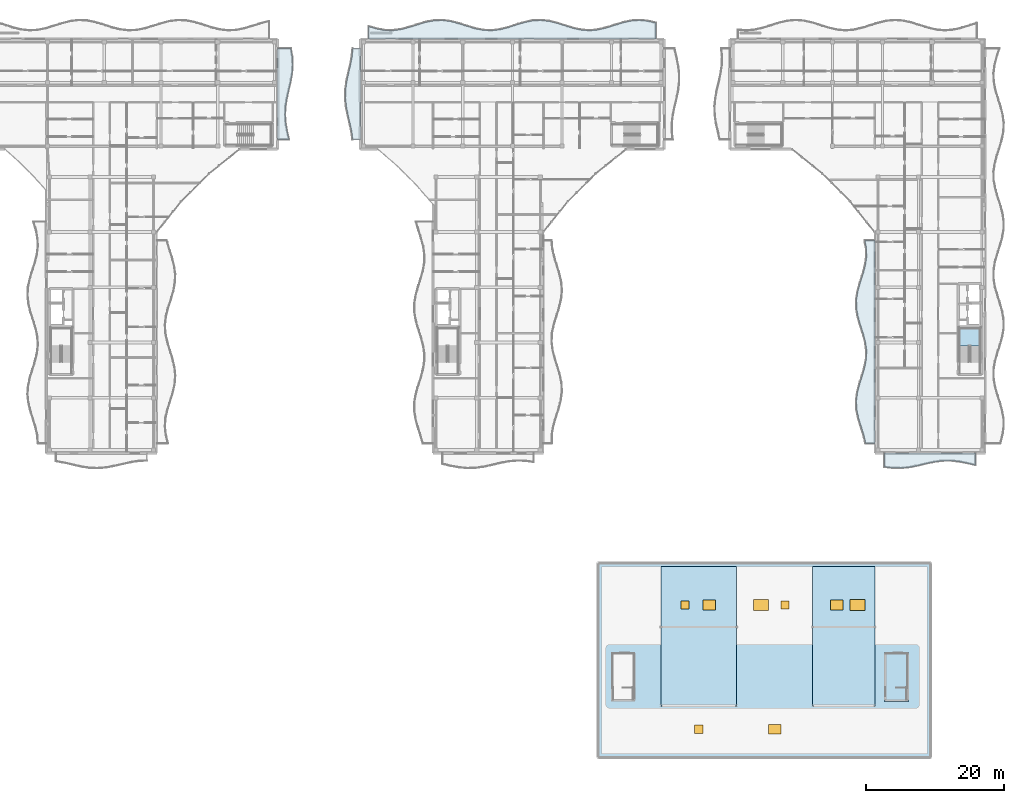
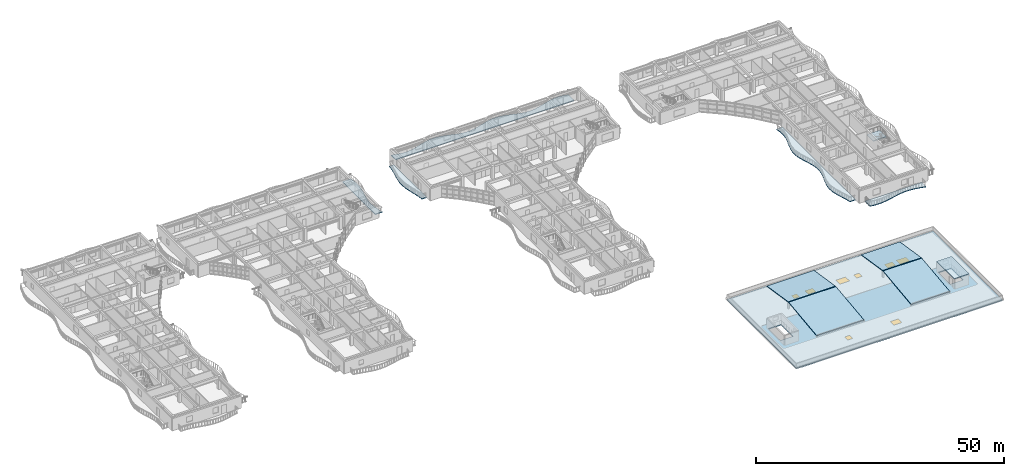
# One storey, part 34 of 79: 12 slabs, 8 windows, 8 openings, 1 element without a shape of its own.
"""IFC4 building model written with IfcOpenShell, lengths in metres."""

import ifcopenshell
import ifcopenshell.guid

model = None  # the IFC model being written
_history = None  # IfcOwnerHistory: only IFC2X3 demands one
_inside = {}  # id of a spatial element -> (the spatial element, [elements in it])
_under = {}  # id of a project, library or spatial element -> (it, [spatial elements below it])
_declared = {}  # id of a project -> (the project, [libraries it declares])
_typed = {}  # id of a type object -> (the type object, [elements of that type])
_made_of = {}  # id of a material, layer set ... -> (it, [elements and type objects made of it])


def new_model(schema):
    """Start an empty IFC model of exactly this schema.

    Asked for "IFC4X3", IfcOpenShell would pick the latest addendum, in which some entities
    have other attributes; the version numbers below select the first issue.
    IFC2X3 requires an IfcOwnerHistory on every rooted entity: one is made here for all.
    """
    global model, _history
    if schema == "IFC4X3":
        model = ifcopenshell.file(schema_version=(4, 3, 0, 0))
    else:
        model = ifcopenshell.file(schema=schema)
    _inside.clear()
    _under.clear()
    _declared.clear()
    _typed.clear()
    _made_of.clear()
    _history = None
    if model.schema == "IFC2X3":
        org = make("IfcOrganization", Name="unknown")
        user = make(
            "IfcPersonAndOrganization",
            ThePerson=make("IfcPerson", FamilyName="unknown"),
            TheOrganization=org,
        )
        app = make(
            "IfcApplication",
            ApplicationDeveloper=org,
            Version="unknown",
            ApplicationFullName="unknown",
            ApplicationIdentifier="unknown",
        )
        _history = make(
            "IfcOwnerHistory",
            OwningUser=user,
            OwningApplication=app,
            ChangeAction="ADDED",
            CreationDate=0,
        )
    return model


def make(cls, **values):
    """One entity of the class cls with the attributes given. An attribute that is None is left unset."""
    return model.create_entity(
        cls, **{name: value for name, value in values.items() if value is not None}
    )


def rooted(cls, **values):
    """An entity with a GlobalId (a new one), such as an element, a storey or a relation."""
    return make(cls, GlobalId=ifcopenshell.guid.new(), OwnerHistory=_history, **values)


def si_unit(unit_type, name, prefix=None):
    """IfcSIUnit, for example si_unit("LENGTHUNIT", "METRE", prefix="MILLI")."""
    return make("IfcSIUnit", UnitType=unit_type, Prefix=prefix, Name=name)


def assignment(units):
    """IfcUnitAssignment: the units of a project."""
    return None if units is None else make("IfcUnitAssignment", Units=units)


def point(xyz):
    """IfcCartesianPoint."""
    return None if xyz is None else make("IfcCartesianPoint", Coordinates=xyz)


def direction(xyz):
    """IfcDirection."""
    return None if xyz is None else make("IfcDirection", DirectionRatios=xyz)


def frame(location, z_axis=None, x_axis=None):
    """IfcAxis2Placement3D, a coordinate frame: its origin and axes. An axis left out is left unset."""
    return make(
        "IfcAxis2Placement3D",
        Location=point(location),
        Axis=direction(z_axis),
        RefDirection=direction(x_axis),
    )


def frame_2d(location, x_axis=None):
    """IfcAxis2Placement2D, a coordinate frame in the plane: its origin and x axis."""
    return make(
        "IfcAxis2Placement2D", Location=point(location), RefDirection=direction(x_axis)
    )


def origin():
    """The frame at (0, 0, 0) with its axes left unset."""
    return frame((0.0, 0.0, 0.0))


def origin_2d():
    """The frame at (0, 0) in the plane with its x axis left unset."""
    return frame_2d((0.0, 0.0))


def place(relative_to, where):
    """IfcLocalPlacement: puts the frame where relative to a parent placement (None: the world)."""
    return make(
        "IfcLocalPlacement", PlacementRelTo=relative_to, RelativePlacement=where
    )


def context(
    kind, dimensions, precision=None, world=None, true_north=None, identifier=None
):
    """IfcGeometricRepresentationContext, for example the 3D "Model" context."""
    return make(
        "IfcGeometricRepresentationContext",
        ContextIdentifier=identifier,
        ContextType=kind,
        CoordinateSpaceDimension=dimensions,
        Precision=precision,
        WorldCoordinateSystem=world,
        TrueNorth=true_north,
    )


def subcontext(parent, identifier, kind, view, scale=None):
    """IfcGeometricRepresentationSubContext, for example "Body" below "Model"."""
    return make(
        "IfcGeometricRepresentationSubContext",
        ContextIdentifier=identifier,
        ContextType=kind,
        ParentContext=parent,
        TargetScale=scale,
        TargetView=view,
    )


def project(units=None, contexts=None):
    """IfcProject with its units and contexts."""
    return rooted(
        "IfcProject",
        Name="project",
        RepresentationContexts=contexts,
        UnitsInContext=assignment(units),
    )


def spatial(cls, under=None, at=None, **own):
    """A site, building, storey or space (cls), placed at a placement, below another one or the project."""
    s = rooted(cls, ObjectPlacement=at, **own)
    if under is not None:
        _under.setdefault(under.id(), (under, []))[1].append(s)
    return s


def polyline(points):
    """IfcPolyline through the points."""
    return make("IfcPolyline", Points=[point(p) for p in points])


def profile(cls, at=None, kind="AREA", **sizes):
    """A parametric profile (cls). Its sizes go by their IFC names, for example OverallWidth=200.0."""
    return make(cls, ProfileType=kind, Position=at, **sizes)


def rectangle(**sizes):
    """IfcRectangleProfileDef."""
    return profile("IfcRectangleProfileDef", **sizes)


def outline(outer, holes=None, kind="AREA"):
    """IfcArbitraryClosedProfileDef: a profile drawn as a closed curve; with holes, ...WithVoids."""
    if holes is None:
        return make("IfcArbitraryClosedProfileDef", ProfileType=kind, OuterCurve=outer)
    return make(
        "IfcArbitraryProfileDefWithVoids",
        ProfileType=kind,
        OuterCurve=outer,
        InnerCurves=holes,
    )


def extrude(swept, where, along, depth):
    """IfcExtrudedAreaSolid: the profile swept, set in the frame where, extruded along a direction by depth."""
    return make(
        "IfcExtrudedAreaSolid",
        SweptArea=swept,
        Position=where,
        ExtrudedDirection=direction(along),
        Depth=depth,
    )


def shape(context_of_items, identifier, shape_type, items):
    """IfcShapeRepresentation: the items that make up one representation, for example the "Body"."""
    return make(
        "IfcShapeRepresentation",
        ContextOfItems=context_of_items,
        RepresentationIdentifier=identifier,
        RepresentationType=shape_type,
        Items=items,
    )


def material(Name=None, Category=None):
    """IfcMaterial."""
    return make("IfcMaterial", Name=Name, Category=Category)


def layer(
    of_material, thickness, ventilated=None, Name=None, Category=None, Priority=None
):
    """IfcMaterialLayer: one layer of a wall or slab, of a material (None: an air gap)."""
    return make(
        "IfcMaterialLayer",
        Material=of_material,
        LayerThickness=thickness,
        IsVentilated=ventilated,
        Name=Name,
        Category=Category,
        Priority=Priority,
    )


def layer_set(layers, Name=None):
    """IfcMaterialLayerSet."""
    return make("IfcMaterialLayerSet", MaterialLayers=layers, LayerSetName=Name)


def made_of(thing, what):
    """Note that an element or type object is made of a material, layer set ...; save() writes the relation."""
    if what is not None:
        _made_of.setdefault(what.id(), (what, []))[1].append(thing)
    return thing


def type_object(cls, material=None, **own):
    """A type object (cls), such as IfcWallType, which elements share."""
    return made_of(rooted(cls, **own), material)


def element(
    cls,
    number,
    at=None,
    inside=None,
    cuts=None,
    type_object=None,
    material=None,
    context=None,
    identifier="Body",
    shape_type=None,
    held_by="IfcProductDefinitionShape",
    body=None,
    shapes=None,
    **own,
):
    """One element of the class cls, such as IfcWall. Its Tag is "e" and its number.

    at: its placement. inside: the storey or other place that contains it. cuts: it is an
    opening in that element (IfcRelVoidsElement). A single representation is given by context,
    identifier, shape_type and body (its items); several are given by shapes. held_by: the class
    of the entity that holds the representations. save() writes the other relations.
    """
    e = rooted(cls, Tag="e%d" % number, ObjectPlacement=at, **own)
    if body is not None:
        shapes = [shape(context, identifier, shape_type, body)]
    if shapes is not None:
        e.Representation = make(held_by, Representations=shapes)
    if inside is not None:
        _inside.setdefault(inside.id(), (inside, []))[1].append(e)
    if cuts is not None:
        rooted(
            "IfcRelVoidsElement", RelatingBuildingElement=cuts, RelatedOpeningElement=e
        )
    if type_object is not None:
        _typed.setdefault(type_object.id(), (type_object, []))[1].append(e)
    return made_of(e, material)


def fill(opening, filler):
    """IfcRelFillsElement: the door or window that sits in an opening."""
    return rooted(
        "IfcRelFillsElement",
        RelatingOpeningElement=opening,
        RelatedBuildingElement=filler,
    )


def aggregate(whole, parts):
    """IfcRelAggregates: a whole, such as a stair, and the parts it consists of."""
    return rooted("IfcRelAggregates", RelatingObject=whole, RelatedObjects=parts)


def save(model, path):
    """Write the relations noted so far, then the file.

    IfcRelAggregates (storeys below a building ...), IfcRelContainedInSpatialStructure (elements
    in a storey), IfcRelDefinesByType, IfcRelAssociatesMaterial and IfcRelDeclares: one each for
    every whole, place, type object, material and project.
    """
    for whole, parts in _under.values():
        aggregate(whole, parts)
    for where, things in _inside.values():
        rooted(
            "IfcRelContainedInSpatialStructure",
            RelatedElements=things,
            RelatingStructure=where,
        )
    for kind, things in _typed.values():
        rooted("IfcRelDefinesByType", RelatedObjects=things, RelatingType=kind)
    for what, things in _made_of.values():
        rooted("IfcRelAssociatesMaterial", RelatedObjects=things, RelatingMaterial=what)
    for by, libraries in _declared.values():
        rooted("IfcRelDeclares", RelatingContext=by, RelatedDefinitions=libraries)
    model.write(path)


model = new_model("IFC4")

# Units and contexts
model_context = context("Model", 3, precision=1e-05, world=origin(), true_north=direction((0.0, 1.0)))
body_context = subcontext(model_context, "Body", "Model", "MODEL_VIEW")
ifc_project = project(units=[si_unit("LENGTHUNIT", "METRE"), si_unit("AREAUNIT", "SQUARE_METRE"), si_unit("VOLUMEUNIT", "CUBIC_METRE"), si_unit("PLANEANGLEUNIT", "RADIAN"), si_unit("MASSUNIT", "GRAM", prefix="KILO")], contexts=[model_context])

# Site, building, storey
site_placement = place(None, origin())
site = spatial("IfcSite", under=ifc_project, at=site_placement, CompositionType="ELEMENT")
building_placement = place(site_placement, origin())
building = spatial("IfcBuilding", under=site, at=building_placement, Name="Keldmere Railside Commons", CompositionType="ELEMENT")
storey_placement = place(building_placement, frame((0.0, 0.0, 10.56005859375)))
storey = spatial("IfcBuildingStorey", under=building, at=storey_placement, Name="L03", CompositionType="ELEMENT", Elevation=10.56005859375)

# Slab
ifc_material_1 = material(Name="Concrete H-35 (C35/45)", Category="concrete")
ifc_layer_1 = layer(ifc_material_1, 0.14990234375, Name="Canopy & Headhouse Roof Slab 150")
ifc_layer_set_1 = layer_set([ifc_layer_1], Name="Concrete H-35 (C35/45)")
slab_type_1 = type_object("IfcSlabType", Name="Canopy & Headhouse Roof Slab 150", PredefinedType="ROOF", material=ifc_layer_set_1)
slab_1_placement = place(storey_placement, frame((0.0, 0.0, 2.5)))
element("IfcSlab", 1, at=slab_1_placement, inside=storey, type_object=slab_type_1, Name="RT-3 Arcade Headhouse Roof 2", PredefinedType="ROOF", context=body_context, shape_type="SweptSolid", body=[
    extrude(outline(polyline([(169.409912109375, 20.050048828125), (172.89990234375, 20.050048828125), (172.89990234375, 27.14990234375), (169.409912109375, 27.14990234375), (169.409912109375, 20.050048828125)])), origin(), (0.0, 0.0, 1.0), 0.14990234375),
])

# Stair, slab
ifc_material_2 = material(Name="Concrete H-30 (C30/37)", Category="concrete")
stair_type = type_object("IfcStairType", Name="Residential Core Dogleg Stair 1450", PredefinedType="HALF_TURN_STAIR", material=ifc_material_2)
stair_placement = place(storey_placement, origin())
stair = element("IfcStair", 2, at=stair_placement, inside=storey, type_object=stair_type, Name="L03 Block A Primary Escape Stair 1", PredefinedType="HALF_TURN_STAIR")
ifc_layer_2 = layer(ifc_material_2, 0.199951171875, Name="Enclosed Stair Landing Slab 200")
ifc_layer_set_2 = layer_set([ifc_layer_2], Name="Concrete H-30 (C30/37)")
slab_type_2 = type_object("IfcSlabType", Name="Enclosed Stair Landing Slab 200", PredefinedType="LANDING", material=ifc_layer_set_2)
slab_2_placement = place(storey_placement, frame((0.0, 0.0, 1.39990234375)))
slab_2 = element("IfcSlab", 3, at=slab_2_placement, type_object=slab_type_2, Name="ST-A1 landing 1", PredefinedType="LANDING", context=body_context, shape_type="SweptSolid", body=[
    extrude(outline(polyline([(183.300048828125, 71.52001953125), (183.300048828125, 74.10009765625), (180.25, 74.10009765625), (180.25, 71.52001953125), (183.300048828125, 71.52001953125)])), origin(), (0.0, 0.0, 1.0), 0.199951171875),
])
aggregate(stair, [slab_2])

# Slabs
ifc_layer_3 = layer(ifc_material_1, 0.139892578125, Name="Nursery Pitched Roof Slab 140")
ifc_layer_set_3 = layer_set([ifc_layer_3], Name="Concrete H-35 (C35/45)")
slab_type_3 = type_object("IfcSlabType", Name="Nursery Pitched Roof Slab 140", PredefinedType="ROOF", material=ifc_layer_set_3)
slab_3_placement = place(storey_placement, frame((137.0, 19.39990234375, 0.389892578125), z_axis=(0.0, -0.11842656114, 0.992962813814), x_axis=(1.0, 0.0, 0.0)))
element("IfcSlab", 4, at=slab_3_placement, inside=storey, type_object=slab_type_3, Name="Roof Arcade Clerestory Monitor 1S", PredefinedType="ROOF", context=body_context, shape_type="SweptSolid", body=[
    extrude(outline(polyline([(0.0, 0.0), (11.0, 0.0), (11.0, 11.400294353319776), (0.0, 11.400294353319776), (0.0, 0.0)])), origin(), (0.0, 0.0, -1.0), 0.139892578125),
])
slab_4_placement = place(storey_placement, frame((148.0, 39.550048828125, 0.389892578125), z_axis=(0.0, 0.153863360017, 0.988092134593), x_axis=(-1.0, 0.0, 0.0)))
element("IfcSlab", 5, at=slab_4_placement, inside=storey, type_object=slab_type_3, Name="Roof Arcade Clerestory Monitor 1N", PredefinedType="ROOF", context=body_context, shape_type="SweptSolid", body=[
    extrude(outline(polyline([(0.0, 0.0), (11.0, 0.0), (11.0, 8.7746534073951), (0.0, 8.7746534073951), (0.0, 0.0)])), origin(), (0.0, 0.0, -1.0), 0.139892578125),
])
slab_5_placement = place(storey_placement, frame((159.0, 19.39990234375, 0.389892578125), z_axis=(0.0, -0.11842656114, 0.992962813814), x_axis=(1.0, 0.0, 0.0)))
element("IfcSlab", 6, at=slab_5_placement, inside=storey, type_object=slab_type_3, Name="Roof Arcade Clerestory Monitor 2S", PredefinedType="ROOF", context=body_context, shape_type="SweptSolid", body=[
    extrude(outline(polyline([(0.0, 0.0), (9.0, 0.0), (9.0, 11.400294353319776), (0.0, 11.400294353319776), (0.0, 0.0)])), origin(), (0.0, 0.0, -1.0), 0.139892578125),
])
slab_6_placement = place(storey_placement, frame((168.0, 39.550048828125, 0.389892578125), z_axis=(0.0, 0.153863360017, 0.988092134593), x_axis=(-1.0, 0.0, 0.0)))
element("IfcSlab", 7, at=slab_6_placement, inside=storey, type_object=slab_type_3, Name="Roof Arcade Clerestory Monitor 2N", PredefinedType="ROOF", context=body_context, shape_type="SweptSolid", body=[
    extrude(outline(polyline([(0.0, 0.0), (9.0, 0.0), (9.0, 8.7746534073951), (0.0, 8.7746534073951), (0.0, 0.0)])), origin(), (0.0, 0.0, -1.0), 0.139892578125),
])

# Slab, openings, windows
ifc_layer_4 = layer(ifc_material_1, 0.25, Name="Planted Terrace Roof Slab 250")
ifc_layer_set_4 = layer_set([ifc_layer_4], Name="Concrete H-35 (C35/45)")
slab_type_4 = type_object("IfcSlabType", Name="Planted Terrace Roof Slab 250", PredefinedType="ROOF", material=ifc_layer_set_4)
slab_7_placement = place(storey_placement, frame((0.0, 0.0, -0.25)))
slab_7 = element("IfcSlab", 8, at=slab_7_placement, inside=storey, type_object=slab_type_4, Name="RT-1 ARCROOF-L03-080", PredefinedType="ROOF", context=body_context, shape_type="SweptSolid", body=[
    extrude(outline(polyline([(176.0, 12.0), (176.0, 40.0), (128.0, 40.0), (128.0, 12.0), (176.0, 12.0)]), holes=[polyline([(133.02490234375, 22.074951171875), (130.0849609375, 22.074951171875), (130.0849609375, 26.875), (133.02490234375, 26.875), (133.02490234375, 22.074951171875)]), polyline([(172.625, 22.074951171875), (169.68505859375, 22.074951171875), (169.68505859375, 26.875), (172.625, 26.875), (172.625, 22.074951171875)])]), origin(), (0.0, 0.0, 1.0), 0.25),
])
opening_1_placement = place(slab_7_placement, frame((140.5, 34.0, 0.0)))
opening_1 = element("IfcOpeningElement", 9, at=opening_1_placement, cuts=slab_7, Name="Opening SKY-01", PredefinedType="OPENING", context=body_context, shape_type="SweptSolid", body=[
    extrude(rectangle(XDim=1.199951171875, YDim=1.199951171875, at=origin_2d()), frame((0.0, 0.0, -0.010009765625)), (0.0, 0.0, 1.0), 0.27001953125),
])
opening_2_placement = place(slab_7_placement, frame((144.0, 34.0, 0.0)))
opening_2 = element("IfcOpeningElement", 10, at=opening_2_placement, cuts=slab_7, Name="Opening SKY-02", PredefinedType="OPENING", context=body_context, shape_type="SweptSolid", body=[
    extrude(rectangle(XDim=1.800048828125, YDim=1.39990234375, at=origin_2d()), frame((0.0, 0.0, -0.010009765625)), (0.0, 0.0, 1.0), 0.27001953125),
])
opening_3_placement = place(slab_7_placement, frame((151.5, 34.0, 0.0)))
opening_3 = element("IfcOpeningElement", 11, at=opening_3_placement, cuts=slab_7, Name="Opening SKY-03", PredefinedType="OPENING", context=body_context, shape_type="SweptSolid", body=[
    extrude(rectangle(XDim=2.199951171875, YDim=1.60009765625, at=origin_2d()), frame((0.0, 0.0, -0.010009765625)), (0.0, 0.0, 1.0), 0.27001953125),
])
opening_4_placement = place(slab_7_placement, frame((155.0, 34.0, 0.0)))
opening_4 = element("IfcOpeningElement", 12, at=opening_4_placement, cuts=slab_7, Name="Opening SKY-01", PredefinedType="OPENING", context=body_context, shape_type="SweptSolid", body=[
    extrude(rectangle(XDim=1.199951171875, YDim=1.199951171875, at=origin_2d()), frame((0.0, 0.0, -0.010009765625)), (0.0, 0.0, 1.0), 0.27001953125),
])
opening_5_placement = place(slab_7_placement, frame((162.5, 34.0, 0.0)))
opening_5 = element("IfcOpeningElement", 13, at=opening_5_placement, cuts=slab_7, Name="Opening SKY-02", PredefinedType="OPENING", context=body_context, shape_type="SweptSolid", body=[
    extrude(rectangle(XDim=1.800048828125, YDim=1.39990234375, at=origin_2d()), frame((0.0, 0.0, -0.010009765625)), (0.0, 0.0, 1.0), 0.27001953125),
])
opening_6_placement = place(slab_7_placement, frame((165.5, 34.0, 0.0)))
opening_6 = element("IfcOpeningElement", 14, at=opening_6_placement, cuts=slab_7, Name="Opening SKY-03", PredefinedType="OPENING", context=body_context, shape_type="SweptSolid", body=[
    extrude(rectangle(XDim=2.199951171875, YDim=1.60009765625, at=origin_2d()), frame((0.0, 0.0, -0.010009765625)), (0.0, 0.0, 1.0), 0.27001953125),
])
opening_7_placement = place(slab_7_placement, frame((142.5, 16.0, 0.0)))
opening_7 = element("IfcOpeningElement", 15, at=opening_7_placement, cuts=slab_7, Name="Opening SKY-01", PredefinedType="OPENING", context=body_context, shape_type="SweptSolid", body=[
    extrude(rectangle(XDim=1.199951171875, YDim=1.199951171875, at=origin_2d()), frame((0.0, 0.0, -0.010009765625)), (0.0, 0.0, 1.0), 0.27001953125),
])
opening_8_placement = place(slab_7_placement, frame((153.5, 16.0, 0.0)))
opening_8 = element("IfcOpeningElement", 16, at=opening_8_placement, cuts=slab_7, Name="Opening SKY-02", PredefinedType="OPENING", context=body_context, shape_type="SweptSolid", body=[
    extrude(rectangle(XDim=1.800048828125, YDim=1.39990234375, at=origin_2d()), frame((0.0, 0.0, -0.010009765625)), (0.0, 0.0, 1.0), 0.27001953125),
])
ifc_material_3 = material(Name="Low-E Insulated Double Glazing", Category="glass")
window_type_1 = type_object("IfcWindowType", Name="Market Arcade Gallery Roof Skylight 2200x1600", PartitioningType="SINGLE_PANEL", PredefinedType="SKYLIGHT", material=ifc_material_3)
window_1_placement = place(opening_3_placement, frame((0.0, 0.0, 0.199951171875)))
window_1 = element("IfcWindow", 17, at=window_1_placement, inside=storey, type_object=window_type_1, Name="SKY-03 SKY-ARC-03", OverallHeight=1.60009765625, OverallWidth=2.199951171875, PartitioningType="SINGLE_PANEL", PredefinedType="SKYLIGHT", context=body_context, shape_type="SweptSolid", body=[
    extrude(rectangle(XDim=2.199951171875, YDim=1.60009765625, at=origin_2d()), origin(), (0.0, 0.0, 1.0), 0.050048828125),
])
fill(opening_3, window_1)
window_2_placement = place(opening_6_placement, frame((0.0, 0.0, 0.199951171875)))
window_2 = element("IfcWindow", 18, at=window_2_placement, inside=storey, type_object=window_type_1, Name="SKY-03 SKY-ARC-06", OverallHeight=1.60009765625, OverallWidth=2.199951171875, PartitioningType="SINGLE_PANEL", PredefinedType="SKYLIGHT", context=body_context, shape_type="SweptSolid", body=[
    extrude(rectangle(XDim=2.199951171875, YDim=1.60009765625, at=origin_2d()), origin(), (0.0, 0.0, 1.0), 0.050048828125),
])
fill(opening_6, window_2)
window_type_2 = type_object("IfcWindowType", Name="Nursery Atrium Daylight Skylight 1800x1400", PartitioningType="SINGLE_PANEL", PredefinedType="SKYLIGHT", material=ifc_material_3)
window_3_placement = place(opening_2_placement, frame((0.0, 0.0, 0.199951171875)))
window_3 = element("IfcWindow", 19, at=window_3_placement, inside=storey, type_object=window_type_2, Name="SKY-02 SKY-ARC-02", OverallHeight=1.39990234375, OverallWidth=1.800048828125, PartitioningType="SINGLE_PANEL", PredefinedType="SKYLIGHT", context=body_context, shape_type="SweptSolid", body=[
    extrude(rectangle(XDim=1.800048828125, YDim=1.39990234375, at=origin_2d()), origin(), (0.0, 0.0, 1.0), 0.050048828125),
])
fill(opening_2, window_3)
window_4_placement = place(opening_5_placement, frame((0.0, 0.0, 0.199951171875)))
window_4 = element("IfcWindow", 20, at=window_4_placement, inside=storey, type_object=window_type_2, Name="SKY-02 SKY-ARC-05", OverallHeight=1.39990234375, OverallWidth=1.800048828125, PartitioningType="SINGLE_PANEL", PredefinedType="SKYLIGHT", context=body_context, shape_type="SweptSolid", body=[
    extrude(rectangle(XDim=1.800048828125, YDim=1.39990234375, at=origin_2d()), origin(), (0.0, 0.0, 1.0), 0.050048828125),
])
fill(opening_5, window_4)
window_5_placement = place(opening_8_placement, frame((0.0, 0.0, 0.199951171875)))
window_5 = element("IfcWindow", 21, at=window_5_placement, inside=storey, type_object=window_type_2, Name="SKY-02 SKY-ARC-08", OverallHeight=1.39990234375, OverallWidth=1.800048828125, PartitioningType="SINGLE_PANEL", PredefinedType="SKYLIGHT", context=body_context, shape_type="SweptSolid", body=[
    extrude(rectangle(XDim=1.800048828125, YDim=1.39990234375, at=origin_2d()), origin(), (0.0, 0.0, 1.0), 0.050048828125),
])
fill(opening_8, window_5)
window_type_3 = type_object("IfcWindowType", Name="Stair Smoke-Vent & Access Skylight Hatch 1200x1200", PartitioningType="SINGLE_PANEL", PredefinedType="SKYLIGHT", material=ifc_material_3)
window_6_placement = place(opening_1_placement, frame((0.0, 0.0, 0.199951171875)))
window_6 = element("IfcWindow", 22, at=window_6_placement, inside=storey, type_object=window_type_3, Name="SKY-01 SKY-ARC-01", OverallHeight=1.199951171875, OverallWidth=1.199951171875, PartitioningType="SINGLE_PANEL", PredefinedType="SKYLIGHT", context=body_context, shape_type="SweptSolid", body=[
    extrude(rectangle(XDim=1.199951171875, YDim=1.199951171875, at=origin_2d()), origin(), (0.0, 0.0, 1.0), 0.050048828125),
])
fill(opening_1, window_6)
window_7_placement = place(opening_4_placement, frame((0.0, 0.0, 0.199951171875)))
window_7 = element("IfcWindow", 23, at=window_7_placement, inside=storey, type_object=window_type_3, Name="SKY-01 SKY-ARC-04", OverallHeight=1.199951171875, OverallWidth=1.199951171875, PartitioningType="SINGLE_PANEL", PredefinedType="SKYLIGHT", context=body_context, shape_type="SweptSolid", body=[
    extrude(rectangle(XDim=1.199951171875, YDim=1.199951171875, at=origin_2d()), origin(), (0.0, 0.0, 1.0), 0.050048828125),
])
fill(opening_4, window_7)
window_8_placement = place(opening_7_placement, frame((0.0, 0.0, 0.199951171875)))
window_8 = element("IfcWindow", 24, at=window_8_placement, inside=storey, type_object=window_type_3, Name="SKY-01 SKY-ARC-07", OverallHeight=1.199951171875, OverallWidth=1.199951171875, PartitioningType="SINGLE_PANEL", PredefinedType="SKYLIGHT", context=body_context, shape_type="SweptSolid", body=[
    extrude(rectangle(XDim=1.199951171875, YDim=1.199951171875, at=origin_2d()), origin(), (0.0, 0.0, 1.0), 0.050048828125),
])
fill(opening_7, window_8)

# Slabs
ifc_material_4 = material(Name="White Precast Concrete H-35 (C35/45)", Category="concrete")
ifc_layer_5 = layer(ifc_material_4, 0.179931640625, Name="Sinusoidal Wave Balcony Slab 180")
ifc_layer_set_5 = layer_set([ifc_layer_5], Name="White Precast Concrete H-35 (C35/45)")
slab_type_5 = type_object("IfcSlabType", Name="Sinusoidal Wave Balcony Slab 180", PredefinedType="FLOOR", material=ifc_layer_set_5)
slab_8_placement = place(storey_placement, frame((0.0, 0.0, -0.18017578125)))
element("IfcSlab", 25, at=slab_8_placement, inside=storey, type_object=slab_type_5, Name="WB-1 C L03 WE Wave Balcony", PredefinedType="FLOOR", context=body_context, shape_type="SweptSolid", body=[
    extrude(outline(polyline([(83.1728515625, 101.39990234375), (82.89501953125, 102.60009765625), (82.685546875, 103.800048828125), (82.6005859375, 105.0), (82.66259765625, 106.199951171875), (82.85546875, 107.39990234375), (83.127197265625, 108.60009765625), (83.405029296875, 109.800048828125), (83.614501953125, 111.0), (83.699462890625, 112.199951171875), (83.63720703125, 113.39990234375), (83.444580078125, 114.60009765625), (81.5, 114.60009765625), (81.5, 113.39990234375), (81.5, 112.199951171875), (81.5, 111.0), (81.5, 109.800048828125), (81.5, 108.60009765625), (81.5, 107.39990234375), (81.5, 106.199951171875), (81.5, 105.0), (81.5, 103.800048828125), (81.5, 102.60009765625), (81.5, 101.39990234375), (83.1728515625, 101.39990234375)])), origin(), (0.0, 0.0, 1.0), 0.18017578125),
])
slab_9_placement = place(storey_placement, frame((0.0, 0.0, -0.18017578125)))
element("IfcSlab", 26, at=slab_9_placement, inside=storey, type_object=slab_type_5, Name="WB-1 B L03 N Wave Balcony", PredefinedType="FLOOR", context=body_context, shape_type="SweptSolid", body=[
    extrude(outline(polyline([(94.699951171875, 116.0), (95.888671875, 116.0), (97.0771484375, 116.0), (98.265625, 116.0), (99.454345703125, 116.0), (100.642822265625, 116.0), (101.831298828125, 116.0), (103.02001953125, 116.0), (104.20849609375, 116.0), (105.397216796875, 116.0), (106.585693359375, 116.0), (107.7744140625, 116.0), (108.962890625, 116.0), (110.1513671875, 116.0), (111.340087890625, 116.0), (112.528564453125, 116.0), (113.717041015625, 116.0), (114.90576171875, 116.0), (116.09423828125, 116.0), (117.282958984375, 116.0), (118.471435546875, 116.0), (119.659912109375, 116.0), (120.8486328125, 116.0), (122.037109375, 116.0), (123.2255859375, 116.0), (124.414306640625, 116.0), (125.602783203125, 116.0), (126.79150390625, 116.0), (127.97998046875, 116.0), (129.168701171875, 116.0), (130.357177734375, 116.0), (131.545654296875, 116.0), (132.734375, 116.0), (133.9228515625, 116.0), (135.111328125, 116.0), (136.300048828125, 116.0), (136.300048828125, 118.302734375), (135.111328125, 118.58447265625), (133.9228515625, 118.69921875), (132.734375, 118.6171875), (131.545654296875, 118.359375), (130.357177734375, 117.994140625), (129.168701171875, 117.6171875), (127.97998046875, 117.327880859375), (126.79150390625, 117.201904296875), (125.602783203125, 117.27294921875), (124.414306640625, 117.52197265625), (123.2255859375, 117.883544921875), (122.037109375, 118.2626953125), (120.8486328125, 118.559326171875), (119.659912109375, 118.696044921875), (118.471435546875, 118.636474609375), (117.282958984375, 118.396240234375), (116.09423828125, 118.038818359375), (114.90576171875, 117.657958984375), (113.717041015625, 117.35400390625), (112.528564453125, 117.206787109375), (111.340087890625, 117.2548828125), (110.1513671875, 117.48583984375), (108.962890625, 117.839111328125), (107.7744140625, 118.22119140625), (106.585693359375, 118.5322265625), (105.397216796875, 118.68994140625), (104.20849609375, 118.6533203125), (103.02001953125, 118.431396484375), (101.831298828125, 118.0830078125), (100.642822265625, 117.69970703125), (99.454345703125, 117.382080078125), (98.265625, 117.214111328125), (97.0771484375, 117.2392578125), (95.888671875, 117.451416015625), (94.699951171875, 117.794921875), (94.699951171875, 116.0)])), origin(), (0.0, 0.0, 1.0), 0.18017578125),
])
slab_10_placement = place(storey_placement, frame((0.0, 0.0, -0.18017578125)))
element("IfcSlab", 27, at=slab_10_placement, inside=storey, type_object=slab_type_5, Name="WB-1 B L03 WW Wave Balcony", PredefinedType="FLOOR", context=body_context, shape_type="SweptSolid", body=[
    extrude(outline(polyline([(93.5, 101.39990234375), (93.5, 102.60009765625), (93.5, 103.800048828125), (93.5, 105.0), (93.5, 106.199951171875), (93.5, 107.39990234375), (93.5, 108.60009765625), (93.5, 109.800048828125), (93.5, 111.0), (93.5, 112.199951171875), (93.5, 113.39990234375), (93.5, 114.60009765625), (92.390380859375, 114.60009765625), (92.26708984375, 113.39990234375), (92.0322265625, 112.199951171875), (91.748291015625, 111.0), (91.49169921875, 109.800048828125), (91.3310546875, 108.60009765625), (91.3095703125, 107.39990234375), (91.432861328125, 106.199951171875), (91.667724609375, 105.0), (91.95166015625, 103.800048828125), (92.208251953125, 102.60009765625), (92.368896484375, 101.39990234375), (93.5, 101.39990234375)])), origin(), (0.0, 0.0, 1.0), 0.18017578125),
])
slab_11_placement = place(storey_placement, frame((0.0, 0.0, -0.18017578125)))
element("IfcSlab", 28, at=slab_11_placement, inside=storey, type_object=slab_type_5, Name="WB-1 A L03 CW Wave Balcony", PredefinedType="FLOOR", context=body_context, shape_type="SweptSolid", body=[
    extrude(outline(polyline([(168.0, 57.39990234375), (168.0, 58.625), (168.0, 59.85009765625), (168.0, 61.074951171875), (168.0, 62.300048828125), (168.0, 63.52490234375), (168.0, 64.75), (168.0, 65.97509765625), (168.0, 67.199951171875), (168.0, 68.425048828125), (168.0, 69.64990234375), (168.0, 70.875), (168.0, 72.10009765625), (168.0, 73.324951171875), (168.0, 74.550048828125), (168.0, 75.77490234375), (168.0, 77.0), (168.0, 78.22509765625), (168.0, 79.449951171875), (168.0, 80.675048828125), (168.0, 81.89990234375), (168.0, 83.125), (168.0, 84.35009765625), (168.0, 85.574951171875), (168.0, 86.800048828125), (166.54541015625, 86.800048828125), (166.76318359375, 85.574951171875), (166.781982421875, 84.35009765625), (166.5966796875, 83.125), (166.2587890625, 81.89990234375), (165.86279296875, 80.675048828125), (165.518798828125, 79.449951171875), (165.3232421875, 78.22509765625), (165.330322265625, 77.0), (165.5380859375, 75.77490234375), (165.888671875, 74.550048828125), (166.2841796875, 73.324951171875), (166.614501953125, 72.10009765625), (166.787353515625, 70.875), (166.75439453125, 69.64990234375), (166.52490234375, 68.425048828125), (166.1630859375, 67.199951171875), (165.76953125, 65.97509765625), (165.454345703125, 64.75), (165.305419921875, 63.52490234375), (165.364013671875, 62.300048828125), (165.614013671875, 61.074951171875), (165.985595703125, 59.85009765625), (166.375244140625, 58.625), (166.67431640625, 57.39990234375), (168.0, 57.39990234375)])), origin(), (0.0, 0.0, 1.0), 0.18017578125),
])
slab_12_placement = place(storey_placement, frame((0.0, 0.0, -0.18017578125)))
element("IfcSlab", 29, at=slab_12_placement, inside=storey, type_object=slab_type_5, Name="WB-1 A L03 S Wave Balcony", PredefinedType="FLOOR", context=body_context, shape_type="SweptSolid", body=[
    extrude(outline(polyline([(169.39990234375, 53.98876953125), (170.60009765625, 53.82958984375), (171.800048828125, 53.810302734375), (173.0, 53.935302734375), (174.199951171875, 54.171630859375), (175.39990234375, 54.45556640625), (176.60009765625, 54.711181640625), (177.800048828125, 54.870361328125), (179.0, 54.889892578125), (180.199951171875, 54.7646484375), (181.39990234375, 54.5283203125), (182.60009765625, 54.244384765625), (182.60009765625, 56.0), (181.39990234375, 56.0), (180.199951171875, 56.0), (179.0, 56.0), (177.800048828125, 56.0), (176.60009765625, 56.0), (175.39990234375, 56.0), (174.199951171875, 56.0), (173.0, 56.0), (171.800048828125, 56.0), (170.60009765625, 56.0), (169.39990234375, 56.0), (169.39990234375, 53.98876953125)])), origin(), (0.0, 0.0, 1.0), 0.18017578125),
])

save(model, "model.ifc")
